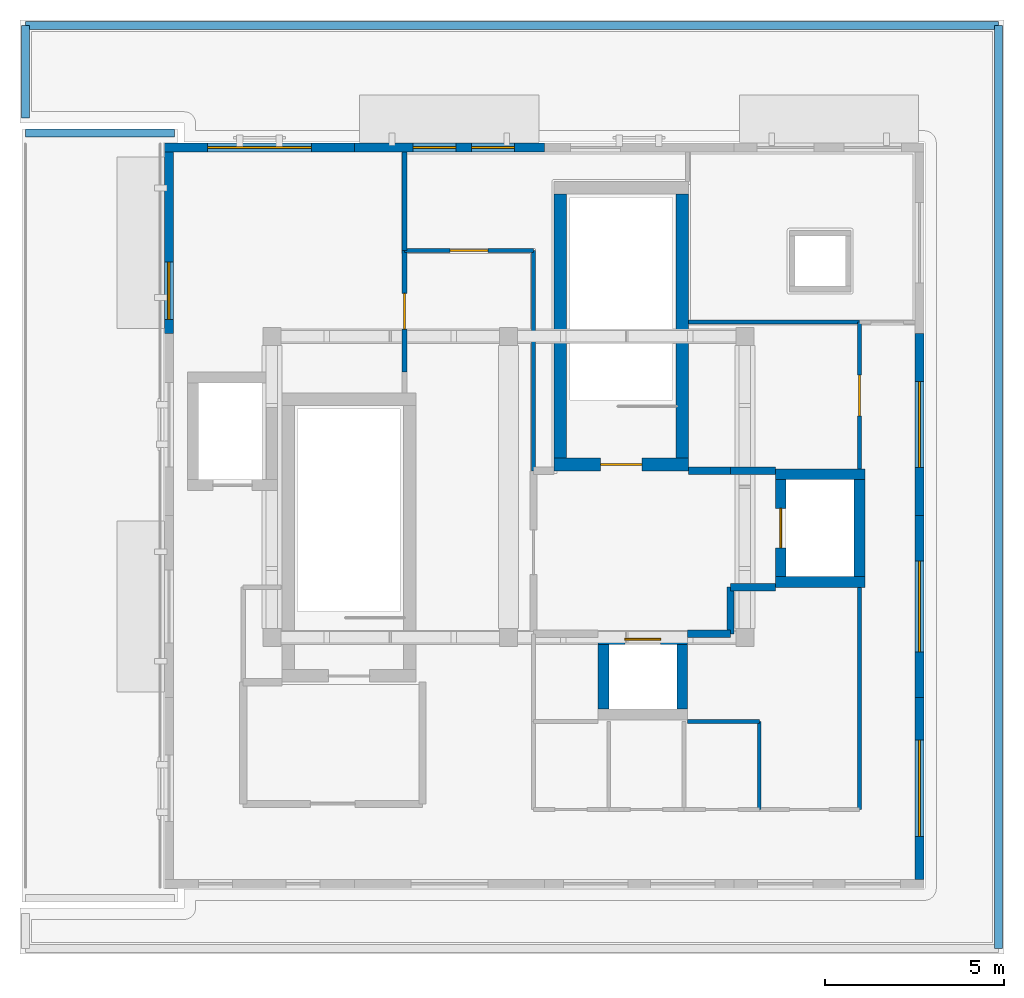
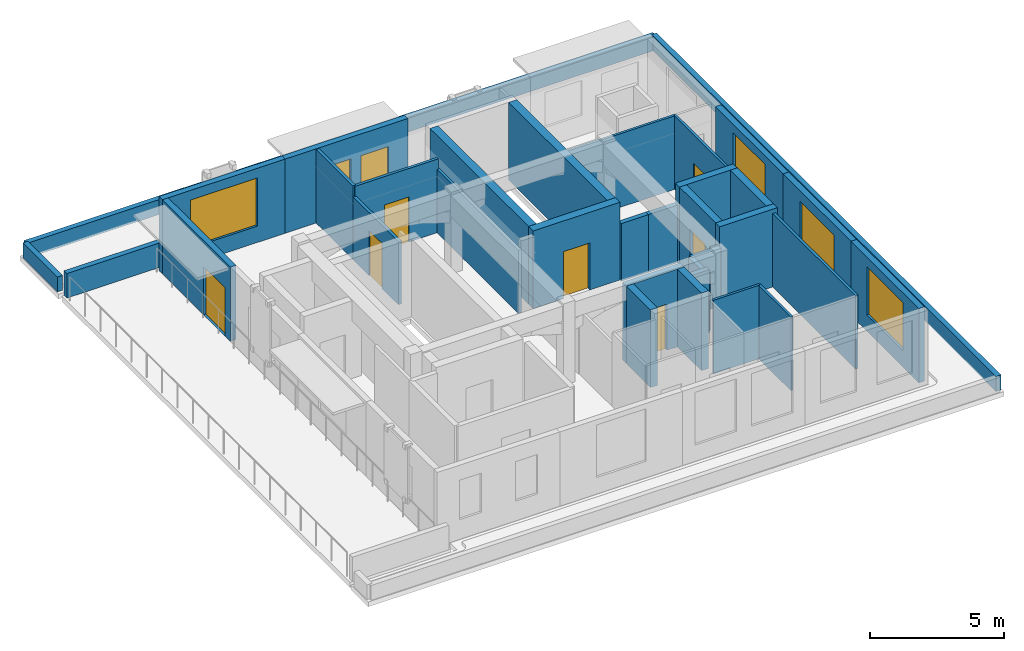
# One storey, part 3 of 5: 34 walls, 7 doors, 6 windows, 13 openings.
"""IFC4 building model written with IfcOpenShell, lengths in metres."""

from ifc_helpers import new_model, si_unit, direction, frame, frame_2d, origin, place, context, subcontext, project, spatial, rectangle, extrude, material, layer, layer_set, type_object, element, fill, save


model = new_model("IFC4")

# Units and contexts
model_context = context("Model", 3, precision=1e-05, world=origin(), true_north=direction((0.0, 1.0)))
body_context = subcontext(model_context, "Body", "Model", "MODEL_VIEW")
ifc_project = project(units=[si_unit("LENGTHUNIT", "METRE"), si_unit("AREAUNIT", "SQUARE_METRE"), si_unit("VOLUMEUNIT", "CUBIC_METRE"), si_unit("PLANEANGLEUNIT", "RADIAN"), si_unit("MASSUNIT", "GRAM", prefix="KILO")], contexts=[model_context])

# Site, building, storey
site_placement = place(None, origin())
site = spatial("IfcSite", under=ifc_project, at=site_placement, CompositionType="ELEMENT")
building_placement = place(site_placement, origin())
building = spatial("IfcBuilding", under=site, at=building_placement, Name="Kolvaren Faculty of Natural Sciences", CompositionType="ELEMENT")
storey_placement = place(building_placement, frame((0.0, 0.0, 44.39990234375)))
storey = spatial("IfcBuildingStorey", under=building, at=storey_placement, Name="L10", CompositionType="ELEMENT", Elevation=44.39990234375)

# Wall, opening, door
ifc_material_1 = material(Name="Concrete C40/50", Category="concrete")
ifc_layer_1 = layer(ifc_material_1, 0.35009765625)
ifc_layer_set_1 = layer_set([ifc_layer_1], Name="Concrete C40/50")
wall_type_1 = type_object("IfcWallType", Name="CoreShearWall_350", PredefinedType="SHEAR", material=ifc_layer_set_1)
wall_1_placement = place(storey_placement, frame((159.875, 72.22509765625, 0.0), z_axis=(0.0, 0.0, 1.0), x_axis=(1.0, 0.0, 0.0)))
wall_1 = element("IfcWall", 1, at=wall_1_placement, inside=storey, type_object=wall_type_1, Name="L10 CORE-C1 stair shear wall S", PredefinedType="SHEAR", context=body_context, shape_type="SweptSolid", body=[
    extrude(rectangle(XDim=3.75, YDim=0.35009765625, at=frame_2d((1.875, 0.0))), origin(), (0.0, 0.0, 1.0), 3.550048828125),
])
opening_1_placement = place(wall_1_placement, frame((1.300048828125, 0.0, 0.0)))
opening_1 = element("IfcOpeningElement", 2, at=opening_1_placement, cuts=wall_1, Name="Opening FD90", PredefinedType="OPENING", context=body_context, shape_type="SweptSolid", body=[
    extrude(rectangle(XDim=1.14990234375, YDim=2.14990234375, at=frame_2d((0.574951171875, 1.074951171875))), frame((0.0, 0.18505859375, 0.0), z_axis=(0.0, -1.0, 0.0), x_axis=(1.0, 0.0, 0.0)), (0.0, 0.0, 1.0), 0.3701171875),
])
ifc_material_2 = material(Name="Fire-rated solid-core hardwood door leaf in steel frame", Category="steel")
door_type_1 = type_object("IfcDoorType", Name="StairCoreFireDoor_1150x2150", OperationType="NOTDEFINED", PredefinedType="DOOR", material=ifc_material_2)
door_1_placement = place(opening_1_placement, origin())
door_1 = element("IfcDoor", 3, at=door_1_placement, inside=storey, type_object=door_type_1, Name="D-ST-ST-1-L10", OperationType="SINGLE_SWING_RIGHT", OverallHeight=2.14990234375, OverallWidth=1.14990234375, PredefinedType="DOOR", context=body_context, shape_type="SweptSolid", body=[
    extrude(rectangle(XDim=1.14990234375, YDim=2.14990234375, at=frame_2d((0.574951171875, 1.074951171875))), frame((0.0, 0.02490234375, 0.0), z_axis=(0.0, -1.0, 0.0), x_axis=(1.0, 0.0, 0.0)), (0.0, 0.0, 1.0), 0.050048828125),
])
fill(opening_1, door_1)

# Walls
for number, where, z_axis, x_axis, name in (
    (4, (160.050048828125, 72.39990234375, 0.0), (0.0, 0.0, 1.0), (0.0, 1.0, 0.0), "L10 CORE-C1 stair shear wall W"),
    (5, (163.449951171875, 72.39990234375, 0.0), (0.0, 0.0, 1.0), (0.0, 1.0, 0.0), "L10 CORE-C1 stair shear wall E"),
):
    element("IfcWall", number, at=place(storey_placement, frame(where, z_axis=z_axis, x_axis=x_axis)), inside=storey, type_object=wall_type_1, Name=name, PredefinedType="SHEAR", context=body_context, shape_type="SweptSolid", body=[
        extrude(rectangle(XDim=7.375, YDim=0.35009765625, at=frame_2d((3.6875, 0.0))), origin(), (0.0, 0.0, 1.0), 3.550048828125),
    ])

# Wall, opening, window
ifc_material_3 = material(Name="Precast concrete C35/45", Category="concrete")
ifc_layer_2 = layer(ifc_material_3, 0.25)
ifc_layer_set_2 = layer_set([ifc_layer_2], Name="Precast concrete C35/45")
wall_type_2 = type_object("IfcWallType", Name="ExteriorTowerWall_250", PredefinedType="STANDARD", material=ifc_layer_set_2)
wall_2_placement = place(storey_placement, frame((170.074951171875, 75.875, 0.0), z_axis=(0.0, 0.0, 1.0), x_axis=(0.0, -1.0, 0.0)))
wall_2 = element("IfcWall", 6, at=wall_2_placement, inside=storey, type_object=wall_type_2, Name="L10 exterior masonry wall EW-250 (755)", PredefinedType="STANDARD", context=body_context, shape_type="SweptSolid", body=[
    extrude(rectangle(XDim=5.074951171875, YDim=0.25, at=frame_2d((2.53759765625, 0.0))), origin(), (0.0, 0.0, 1.0), 3.39013671875),
])
opening_2_placement = place(wall_2_placement, frame((1.33740234375, 0.0, 0.89990234375)))
opening_2 = element("IfcOpeningElement", 7, at=opening_2_placement, cuts=wall_2, Name="Opening WIN-09", PredefinedType="OPENING", context=body_context, shape_type="SweptSolid", body=[
    extrude(rectangle(XDim=2.39990234375, YDim=2.10009765625, at=frame_2d((1.199951171875, 1.050048828125))), frame((0.0, 0.135009765625, 0.0), z_axis=(0.0, -1.0, 0.0), x_axis=(1.0, 0.0, 0.0)), (0.0, 0.0, 1.0), 0.27001953125),
])
ifc_material_4 = material(Name="Double low-E solar control insulated glazing", Category="glass")
window_type_1 = type_object("IfcWindowType", Name="AluWindow_WIN09_2400x2100", PartitioningType="SINGLE_PANEL", PredefinedType="WINDOW", material=ifc_material_4)
window_1_placement = place(opening_2_placement, origin())
window_1 = element("IfcWindow", 8, at=window_1_placement, inside=storey, type_object=window_type_1, Name="WIN-L10-0628", OverallHeight=2.10009765625, OverallWidth=2.39990234375, PartitioningType="SINGLE_PANEL", PredefinedType="WINDOW", context=body_context, shape_type="SweptSolid", body=[
    extrude(rectangle(XDim=2.39990234375, YDim=2.10009765625, at=frame_2d((1.199951171875, 1.050048828125))), frame((0.0, 0.030029296875, 0.0), z_axis=(0.0, -1.0, 0.0), x_axis=(1.0, 0.0, 0.0)), (0.0, 0.0, 1.0), 0.06005859375),
])
fill(opening_2, window_1)

wall_3_placement = place(storey_placement, frame((170.074951171875, 70.800048828125, 0.0), z_axis=(0.0, 0.0, 1.0), x_axis=(0.0, -1.0, 0.0)))
wall_3 = element("IfcWall", 9, at=wall_3_placement, inside=storey, type_object=wall_type_2, Name="L10 exterior masonry wall EW-250 (756)", PredefinedType="STANDARD", context=body_context, shape_type="SweptSolid", body=[
    extrude(rectangle(XDim=5.074951171875, YDim=0.25, at=frame_2d((2.53759765625, 0.0))), origin(), (0.0, 0.0, 1.0), 3.39013671875),
])
opening_3_placement = place(wall_3_placement, frame((1.262451171875, 0.0, 0.75)))
opening_3 = element("IfcOpeningElement", 10, at=opening_3_placement, cuts=wall_3, Name="Opening WIN-10", PredefinedType="OPENING", context=body_context, shape_type="SweptSolid", body=[
    extrude(rectangle(XDim=2.550048828125, YDim=2.14990234375, at=frame_2d((1.27490234375, 1.074951171875))), frame((0.0, 0.135009765625, 0.0), z_axis=(0.0, -1.0, 0.0), x_axis=(1.0, 0.0, 0.0)), (0.0, 0.0, 1.0), 0.27001953125),
])
window_type_2 = type_object("IfcWindowType", Name="AluWindow_WIN10_2550x2150", PartitioningType="SINGLE_PANEL", PredefinedType="WINDOW", material=ifc_material_4)
window_2_placement = place(opening_3_placement, origin())
window_2 = element("IfcWindow", 11, at=window_2_placement, inside=storey, type_object=window_type_2, Name="WIN-L10-0629", OverallHeight=2.14990234375, OverallWidth=2.550048828125, PartitioningType="SINGLE_PANEL", PredefinedType="WINDOW", context=body_context, shape_type="SweptSolid", body=[
    extrude(rectangle(XDim=2.550048828125, YDim=2.14990234375, at=frame_2d((1.27490234375, 1.074951171875))), frame((0.0, 0.030029296875, 0.0), z_axis=(0.0, -1.0, 0.0), x_axis=(1.0, 0.0, 0.0)), (0.0, 0.0, 1.0), 0.06005859375),
])
fill(opening_3, window_2)

wall_4_placement = place(storey_placement, frame((170.074951171875, 65.72509765625, 0.0), z_axis=(0.0, 0.0, 1.0), x_axis=(0.0, -1.0, 0.0)))
wall_4 = element("IfcWall", 12, at=wall_4_placement, inside=storey, type_object=wall_type_2, Name="L10 exterior masonry wall EW-250 (757)", PredefinedType="STANDARD", context=body_context, shape_type="SweptSolid", body=[
    extrude(rectangle(XDim=5.0751953125, YDim=0.25, at=frame_2d((2.53759765625, 0.0))), origin(), (0.0, 0.0, 1.0), 3.39013671875),
])
opening_4_placement = place(wall_4_placement, frame((1.1875, 0.0, 0.75)))
opening_4 = element("IfcOpeningElement", 13, at=opening_4_placement, cuts=wall_4, Name="Opening WIN-11", PredefinedType="OPENING", context=body_context, shape_type="SweptSolid", body=[
    extrude(rectangle(XDim=2.699951171875, YDim=2.199951171875, at=frame_2d((1.35009765625, 1.10009765625))), frame((0.0, 0.135009765625, 0.0), z_axis=(0.0, -1.0, 0.0), x_axis=(1.0, 0.0, 0.0)), (0.0, 0.0, 1.0), 0.27001953125),
])
window_type_3 = type_object("IfcWindowType", Name="AluWindow_WIN11_2700x2200", PartitioningType="SINGLE_PANEL", PredefinedType="WINDOW", material=ifc_material_4)
window_3_placement = place(opening_4_placement, origin())
window_3 = element("IfcWindow", 14, at=window_3_placement, inside=storey, type_object=window_type_3, Name="WIN-L10-0630", OverallHeight=2.199951171875, OverallWidth=2.699951171875, PartitioningType="SINGLE_PANEL", PredefinedType="WINDOW", context=body_context, shape_type="SweptSolid", body=[
    extrude(rectangle(XDim=2.699951171875, YDim=2.199951171875, at=frame_2d((1.35009765625, 1.10009765625))), frame((0.0, 0.030029296875, 0.0), z_axis=(0.0, -1.0, 0.0), x_axis=(1.0, 0.0, 0.0)), (0.0, 0.0, 1.0), 0.06005859375),
])
fill(opening_4, window_3)

wall_5_placement = place(storey_placement, frame((149.0, 81.074951171875, 0.0), z_axis=(0.0, 0.0, 1.0), x_axis=(1.0, 0.0, 0.0)))
wall_5 = element("IfcWall", 15, at=wall_5_placement, inside=storey, type_object=wall_type_2, Name="L10 exterior masonry wall EW-250 (758)", PredefinedType="STANDARD", context=body_context, shape_type="SweptSolid", body=[
    extrude(rectangle(XDim=5.300048828125, YDim=0.25, at=frame_2d((2.64990234375, 0.0))), origin(), (0.0, 0.0, 1.0), 3.39013671875),
])
opening_5_placement = place(wall_5_placement, frame((1.199951171875, 0.0, 0.75)))
opening_5 = element("IfcOpeningElement", 16, at=opening_5_placement, cuts=wall_5, Name="Opening WIN-12", PredefinedType="OPENING", context=body_context, shape_type="SweptSolid", body=[
    extrude(rectangle(XDim=2.89990234375, YDim=2.199951171875, at=frame_2d((1.449951171875, 1.10009765625))), frame((0.0, 0.135009765625, 0.0), z_axis=(0.0, -1.0, 0.0), x_axis=(1.0, 0.0, 0.0)), (0.0, 0.0, 1.0), 0.27001953125),
])
window_type_4 = type_object("IfcWindowType", Name="AluWindow_WIN12_2900x2200", PartitioningType="SINGLE_PANEL", PredefinedType="WINDOW", material=ifc_material_4)
window_4_placement = place(opening_5_placement, origin())
window_4 = element("IfcWindow", 17, at=window_4_placement, inside=storey, type_object=window_type_4, Name="WIN-L10-0631", OverallHeight=2.199951171875, OverallWidth=2.89990234375, PartitioningType="SINGLE_PANEL", PredefinedType="WINDOW", context=body_context, shape_type="SweptSolid", body=[
    extrude(rectangle(XDim=2.89990234375, YDim=2.199951171875, at=frame_2d((1.449951171875, 1.10009765625))), frame((0.0, 0.030029296875, 0.0), z_axis=(0.0, -1.0, 0.0), x_axis=(1.0, 0.0, 0.0)), (0.0, 0.0, 1.0), 0.06005859375),
])
fill(opening_5, window_4)

# Wall, openings, windows
wall_6_placement = place(storey_placement, frame((154.300048828125, 81.074951171875, 0.0), z_axis=(0.0, 0.0, 1.0), x_axis=(1.0, 0.0, 0.0)))
wall_6 = element("IfcWall", 18, at=wall_6_placement, inside=storey, type_object=wall_type_2, Name="L10 exterior masonry wall EW-250 (759)", PredefinedType="STANDARD", context=body_context, shape_type="SweptSolid", body=[
    extrude(rectangle(XDim=5.300048828125, YDim=0.25, at=frame_2d((2.64990234375, 0.0))), origin(), (0.0, 0.0, 1.0), 3.39013671875),
])
opening_6_placement = place(wall_6_placement, frame((1.639892578125, 0.0, 0.89990234375)))
opening_6 = element("IfcOpeningElement", 19, at=opening_6_placement, cuts=wall_6, Name="Opening WIN-13", PredefinedType="OPENING", context=body_context, shape_type="SweptSolid", body=[
    extrude(rectangle(XDim=1.199951171875, YDim=1.5, at=frame_2d((0.60009765625, 0.75))), frame((0.0, 0.135009765625, 0.0), z_axis=(0.0, -1.0, 0.0), x_axis=(1.0, 0.0, 0.0)), (0.0, 0.0, 1.0), 0.27001953125),
])
opening_7_placement = place(wall_6_placement, frame((3.26904296875, 0.0, 0.89990234375)))
opening_7 = element("IfcOpeningElement", 20, at=opening_7_placement, cuts=wall_6, Name="Opening WIN-13", PredefinedType="OPENING", context=body_context, shape_type="SweptSolid", body=[
    extrude(rectangle(XDim=1.199951171875, YDim=1.5, at=frame_2d((0.60009765625, 0.75))), frame((0.0, 0.135009765625, 0.0), z_axis=(0.0, -1.0, 0.0), x_axis=(1.0, 0.0, 0.0)), (0.0, 0.0, 1.0), 0.27001953125),
])
window_type_5 = type_object("IfcWindowType", Name="AluWindow_WIN13_1200x1500", PartitioningType="SINGLE_PANEL", PredefinedType="WINDOW", material=ifc_material_4)
window_5_placement = place(opening_6_placement, origin())
window_5 = element("IfcWindow", 21, at=window_5_placement, inside=storey, type_object=window_type_5, Name="WIN-L10-0632", OverallHeight=1.5, OverallWidth=1.199951171875, PartitioningType="SINGLE_PANEL", PredefinedType="WINDOW", context=body_context, shape_type="SweptSolid", body=[
    extrude(rectangle(XDim=1.199951171875, YDim=1.5, at=frame_2d((0.60009765625, 0.75))), frame((0.0, 0.030029296875, 0.0), z_axis=(0.0, -1.0, 0.0), x_axis=(1.0, 0.0, 0.0)), (0.0, 0.0, 1.0), 0.06005859375),
])
fill(opening_6, window_5)
window_6_placement = place(opening_7_placement, origin())
window_6 = element("IfcWindow", 22, at=window_6_placement, inside=storey, type_object=window_type_5, Name="WIN-L10-0633", OverallHeight=1.5, OverallWidth=1.199951171875, PartitioningType="SINGLE_PANEL", PredefinedType="WINDOW", context=body_context, shape_type="SweptSolid", body=[
    extrude(rectangle(XDim=1.199951171875, YDim=1.5, at=frame_2d((0.60009765625, 0.75))), frame((0.0, 0.030029296875, 0.0), z_axis=(0.0, -1.0, 0.0), x_axis=(1.0, 0.0, 0.0)), (0.0, 0.0, 1.0), 0.06005859375),
])
fill(opening_7, window_6)

# Wall, opening, door
wall_7_placement = place(storey_placement, frame((149.125, 75.875, 0.0), z_axis=(0.0, 0.0, 1.0), x_axis=(0.0, 1.0, 0.0)))
wall_7 = element("IfcWall", 23, at=wall_7_placement, inside=storey, type_object=wall_type_2, Name="L10 exterior masonry wall EW-250 (765)", PredefinedType="STANDARD", context=body_context, shape_type="SweptSolid", body=[
    extrude(rectangle(XDim=5.074951171875, YDim=0.25, at=frame_2d((2.53759765625, 0.0))), origin(), (0.0, 0.0, 1.0), 3.39013671875),
])
opening_8_placement = place(wall_7_placement, frame((0.39990234375, 0.0, 0.0)))
opening_8 = element("IfcOpeningElement", 24, at=opening_8_placement, cuts=wall_7, Name="Opening TD-02", PredefinedType="OPENING", context=body_context, shape_type="SweptSolid", body=[
    extrude(rectangle(XDim=1.60009765625, YDim=2.199951171875, at=frame_2d((0.800048828125, 1.10009765625))), frame((0.0, 0.135009765625, 0.0), z_axis=(0.0, -1.0, 0.0), x_axis=(1.0, 0.0, 0.0)), (0.0, 0.0, 1.0), 0.27001953125),
])
ifc_material_5 = material(Name="Thermally broken anodised aluminium framing", Category="aluminium")
door_type_2 = type_object("IfcDoorType", Name="TerraceDoubleDoor_1600x2200", OperationType="DOUBLE_DOOR_SINGLE_SWING", PredefinedType="DOOR", material=ifc_material_5)
door_2_placement = place(opening_8_placement, origin())
door_2 = element("IfcDoor", 25, at=door_2_placement, inside=storey, type_object=door_type_2, Name="D-L10-TR-29", OperationType="DOUBLE_DOOR_SINGLE_SWING", OverallHeight=2.199951171875, OverallWidth=1.60009765625, PredefinedType="DOOR", context=body_context, shape_type="SweptSolid", body=[
    extrude(rectangle(XDim=1.60009765625, YDim=2.199951171875, at=frame_2d((0.800048828125, 1.10009765625))), frame((0.0, 0.02490234375, 0.0), z_axis=(0.0, -1.0, 0.0), x_axis=(1.0, 0.0, 0.0)), (0.0, 0.0, 1.0), 0.050048828125),
])
fill(opening_8, door_2)

# Walls
ifc_material_6 = material(Name="Autoclaved aerated fire-rated masonry blockwork", Category="masonry")
ifc_layer_3 = layer(ifc_material_6, 0.199951171875)
ifc_layer_set_3 = layer_set([ifc_layer_3], Name="Autoclaved aerated fire-rated masonry blockwork")
wall_type_3 = type_object("IfcWallType", Name="FireLobbyWall_200", PredefinedType="PARTITIONING", material=ifc_layer_set_3)
wall_8_placement = place(storey_placement, frame((163.625, 72.050048828125, 0.0), z_axis=(0.0, 0.0, 1.0), x_axis=(1.0, 0.0, 0.0)))
element("IfcWall", 26, at=wall_8_placement, inside=storey, type_object=wall_type_3, Name="L10 interior partition FW-200", PredefinedType="PARTITIONING", context=body_context, shape_type="SweptSolid", body=[
    extrude(rectangle(XDim=1.175048828125, YDim=0.199951171875, at=frame_2d((0.58740234375, 0.0))), origin(), (0.0, 0.0, 1.0), 2.635009765625),
])
for number, where, z_axis, x_axis, name in (
    (27, (164.800048828125, 72.050048828125, 0.0), (0.0, 0.0, 1.0), (1.0, 0.0, 0.0), "L10 interior partition FW-200"),
    (28, (166.050048828125, 68.800048828125, 0.0), (0.0, 0.0, 1.0), (-1.0, 0.0, 0.0), "L10 interior partition FW-200"),
):
    element("IfcWall", number, at=place(storey_placement, frame(where, z_axis=z_axis, x_axis=x_axis)), inside=storey, type_object=wall_type_3, Name=name, PredefinedType="PARTITIONING", context=body_context, shape_type="SweptSolid", body=[
        extrude(rectangle(XDim=1.25, YDim=0.199951171875, at=frame_2d((0.625, 0.0))), origin(), (0.0, 0.0, 1.0), 2.635009765625),
    ])
wall_9_placement = place(storey_placement, frame((164.800048828125, 68.800048828125, 0.0), z_axis=(0.0, 0.0, 1.0), x_axis=(0.0, -1.0, 0.0)))
element("IfcWall", 29, at=wall_9_placement, inside=storey, type_object=wall_type_3, Name="L10 interior partition FW-200", PredefinedType="PARTITIONING", context=body_context, shape_type="SweptSolid", body=[
    extrude(rectangle(XDim=1.300048828125, YDim=0.199951171875, at=frame_2d((0.64990234375, 0.0))), origin(), (0.0, 0.0, 1.0), 2.635009765625),
])
wall_10_placement = place(storey_placement, frame((164.800048828125, 67.5, 0.0), z_axis=(0.0, 0.0, 1.0), x_axis=(-1.0, 0.0, 0.0)))
element("IfcWall", 30, at=wall_10_placement, inside=storey, type_object=wall_type_3, Name="L10 interior partition FW-200", PredefinedType="PARTITIONING", context=body_context, shape_type="SweptSolid", body=[
    extrude(rectangle(XDim=1.199951171875, YDim=0.199951171875, at=frame_2d((0.60009765625, 0.0))), origin(), (0.0, 0.0, 1.0), 2.885009765625),
])
ifc_material_7 = material(Name="Acoustic mineral-wool insulated gypsum partition")
ifc_layer_4 = layer(ifc_material_7, 0.1298828125)
ifc_layer_set_4 = layer_set([ifc_layer_4], Name="Acoustic mineral-wool insulated gypsum partition")
wall_type_4 = type_object("IfcWallType", Name="OfficePartitionWall_130", PredefinedType="PARTITIONING", material=ifc_layer_set_4)
wall_11_placement = place(storey_placement, frame((155.699951171875, 80.947998046875, 0.0), z_axis=(0.0, 0.0, 1.0), x_axis=(0.0, -1.0, 0.0)))
element("IfcWall", 31, at=wall_11_placement, inside=storey, type_object=wall_type_4, Name="L10 interior partition PW-130", PredefinedType="PARTITIONING", context=body_context, shape_type="SweptSolid", body=[
    extrude(rectangle(XDim=2.748046875, YDim=0.1298828125, at=frame_2d((1.3740234375, 0.0))), origin(), (0.0, 0.0, 1.0), 3.360107421875),
])

# Wall, opening, door
wall_12_placement = place(storey_placement, frame((155.699951171875, 78.199951171875, 0.0), z_axis=(0.0, 0.0, 1.0), x_axis=(0.0, -1.0, 0.0)))
wall_12 = element("IfcWall", 32, at=wall_12_placement, inside=storey, type_object=wall_type_4, Name="L10 interior partition PW-130", PredefinedType="PARTITIONING", context=body_context, shape_type="SweptSolid", body=[
    extrude(rectangle(XDim=3.39990234375, YDim=0.1298828125, at=frame_2d((1.699951171875, 0.0))), origin(), (0.0, 0.0, 1.0), 2.885009765625),
])
opening_9_placement = place(wall_12_placement, frame((1.199951171875, 0.0, 0.0)))
opening_9 = element("IfcOpeningElement", 33, at=opening_9_placement, cuts=wall_12, Name="Opening ID-08", PredefinedType="OPENING", context=body_context, shape_type="SweptSolid", body=[
    extrude(rectangle(XDim=1.0, YDim=2.06005859375, at=frame_2d((0.5, 1.030029296875))), frame((0.0, 0.074951171875, 0.0), z_axis=(0.0, -1.0, 0.0), x_axis=(1.0, 0.0, 0.0)), (0.0, 0.0, 1.0), 0.14990234375),
])
ifc_material_8 = material(Name="Solid-core hardwood veneer door leaf in steel frame", Category="steel")
door_type_3 = type_object("IfcDoorType", Name="InteriorRoomDoor_1000x2060", OperationType="NOTDEFINED", PredefinedType="DOOR", material=ifc_material_8)
door_3_placement = place(opening_9_placement, origin())
door_3 = element("IfcDoor", 34, at=door_3_placement, inside=storey, type_object=door_type_3, Name="D-L10-0400", OperationType="SINGLE_SWING_LEFT", OverallHeight=2.06005859375, OverallWidth=1.0, PredefinedType="DOOR", context=body_context, shape_type="SweptSolid", body=[
    extrude(rectangle(XDim=1.0, YDim=2.06005859375, at=frame_2d((0.5, 1.030029296875))), frame((0.0, 0.02490234375, 0.0), z_axis=(0.0, -1.0, 0.0), x_axis=(1.0, 0.0, 0.0)), (0.0, 0.0, 1.0), 0.050048828125),
])
fill(opening_9, door_3)

# Walls
ifc_layer_5 = layer(ifc_material_3, 0.219970703125)
ifc_layer_set_5 = layer_set([ifc_layer_5], Name="Precast concrete C35/45")
wall_type_5 = type_object("IfcWallType", Name="ParapetUpstandWall_220", PredefinedType="PARAPET", material=ifc_layer_set_5)
wall_13_placement = place(storey_placement, frame((145.1201171875, 81.47998046875, 0.0), z_axis=(0.0, 0.0, 1.0), x_axis=(1.0, 0.0, 0.0)))
element("IfcWall", 35, at=wall_13_placement, inside=storey, type_object=wall_type_5, Name="L10 terrace-to-roof guard parapet divider 7", PredefinedType="PARAPET", context=body_context, shape_type="SweptSolid", body=[
    extrude(rectangle(XDim=4.159912109375, YDim=0.219970703125, at=frame_2d((2.080078125, 0.0))), origin(), (0.0, 0.0, 1.0), 1.1201171875),
])
wall_14_placement = place(storey_placement, frame((172.280029296875, 84.47998046875, 0.0), z_axis=(0.0, 0.0, 1.0), x_axis=(0.0, -1.0, 0.0)))
element("IfcWall", 36, at=wall_14_placement, inside=storey, type_object=wall_type_5, Name="L10 architectural sandstone roof parapet 76", PredefinedType="PARAPET", context=body_context, shape_type="SweptSolid", body=[
    extrude(rectangle(XDim=25.760009765625, YDim=0.219970703125, at=frame_2d((12.8798828125, 0.0))), origin(), (0.0, 0.0, 1.0), 0.68017578125),
])
wall_15_placement = place(storey_placement, frame((145.1201171875, 81.89990234375, 0.0), z_axis=(0.0, 0.0, 1.0), x_axis=(0.0, 1.0, 0.0)))
element("IfcWall", 37, at=wall_15_placement, inside=storey, type_object=wall_type_5, Name="L10 architectural sandstone roof parapet 79", PredefinedType="PARAPET", context=body_context, shape_type="SweptSolid", body=[
    extrude(rectangle(XDim=2.580078125, YDim=0.219970703125, at=frame_2d((1.2900390625, 0.0))), origin(), (0.0, 0.0, 1.0), 0.68017578125),
])
wall_16_placement = place(storey_placement, frame((145.1201171875, 84.47998046875, 0.0), z_axis=(0.0, 0.0, 1.0), x_axis=(1.0, 0.0, 0.0)))
element("IfcWall", 38, at=wall_16_placement, inside=storey, type_object=wall_type_5, Name="L10 architectural sandstone roof parapet 80", PredefinedType="PARAPET", context=body_context, shape_type="SweptSolid", body=[
    extrude(rectangle(XDim=27.159912109375, YDim=0.219970703125, at=frame_2d((13.580078125, 0.0))), origin(), (0.0, 0.0, 1.0), 0.68017578125),
])
ifc_layer_6 = layer(ifc_material_1, 0.300048828125)
ifc_layer_set_6 = layer_set([ifc_layer_6], Name="Concrete C40/50")
wall_type_6 = type_object("IfcWallType", Name="ShaftShearWall_300", PredefinedType="SHEAR", material=ifc_layer_set_6)
for number, where, z_axis, x_axis, name in (
    (39, (166.050048828125, 68.949951171875, 0.0), (0.0, 0.0, 1.0), (1.0, 0.0, 0.0), "L10 lift FL-1 shaft wall S"),
    (40, (166.050048828125, 71.949951171875, 0.0), (0.0, 0.0, 1.0), (1.0, 0.0, 0.0), "L10 lift FL-1 shaft wall N"),
):
    element("IfcWall", number, at=place(storey_placement, frame(where, z_axis=z_axis, x_axis=x_axis)), inside=storey, type_object=wall_type_6, Name=name, PredefinedType="SHEAR", context=body_context, shape_type="SweptSolid", body=[
        extrude(rectangle(XDim=2.5, YDim=0.300048828125, at=frame_2d((1.25, 0.0))), origin(), (0.0, 0.0, 1.0), 3.550048828125),
    ])

# Wall, opening, door
wall_17_placement = place(storey_placement, frame((166.199951171875, 69.10009765625, 0.0), z_axis=(0.0, 0.0, 1.0), x_axis=(0.0, 1.0, 0.0)))
wall_17 = element("IfcWall", 41, at=wall_17_placement, inside=storey, type_object=wall_type_6, Name="L10 lift FL-1 shaft wall W", PredefinedType="SHEAR", context=body_context, shape_type="SweptSolid", body=[
    extrude(rectangle(XDim=2.699951171875, YDim=0.300048828125, at=frame_2d((1.35009765625, 0.0))), origin(), (0.0, 0.0, 1.0), 3.550048828125),
])
opening_10_placement = place(wall_17_placement, frame((0.800048828125, 0.0, 0.0)))
opening_10 = element("IfcOpeningElement", 42, at=opening_10_placement, cuts=wall_17, Name="Opening LD-01", PredefinedType="OPENING", context=body_context, shape_type="SweptSolid", body=[
    extrude(rectangle(XDim=1.10009765625, YDim=2.10009765625, at=frame_2d((0.550048828125, 1.050048828125))), frame((0.0, 0.159912109375, 0.0), z_axis=(0.0, -1.0, 0.0), x_axis=(1.0, 0.0, 0.0)), (0.0, 0.0, 1.0), 0.320068359375),
])
ifc_material_9 = material(Name="Brushed stainless steel lift car and sliding door assembly", Category="steel")
door_type_4 = type_object("IfcDoorType", Name="LiftLandingSliding_1100x2100", OperationType="DOUBLE_DOOR_SLIDING", PredefinedType="DOOR", material=ifc_material_9)
door_4_placement = place(opening_10_placement, origin())
door_4 = element("IfcDoor", 43, at=door_4_placement, inside=storey, type_object=door_type_4, Name="D-LIFT-FL-1-L10", OperationType="DOUBLE_DOOR_SLIDING", OverallHeight=2.10009765625, OverallWidth=1.10009765625, PredefinedType="DOOR", context=body_context, shape_type="SweptSolid", body=[
    extrude(rectangle(XDim=1.10009765625, YDim=2.10009765625, at=frame_2d((0.550048828125, 1.050048828125))), frame((0.0, 0.02490234375, 0.0), z_axis=(0.0, -1.0, 0.0), x_axis=(1.0, 0.0, 0.0)), (0.0, 0.0, 1.0), 0.050048828125),
])
fill(opening_10, door_4)

# Wall
wall_18_placement = place(storey_placement, frame((168.39990234375, 69.10009765625, 0.0), z_axis=(0.0, 0.0, 1.0), x_axis=(0.0, 1.0, 0.0)))
element("IfcWall", 44, at=wall_18_placement, inside=storey, type_object=wall_type_6, Name="L10 lift FL-1 shaft wall E", PredefinedType="SHEAR", context=body_context, shape_type="SweptSolid", body=[
    extrude(rectangle(XDim=2.699951171875, YDim=0.300048828125, at=frame_2d((1.35009765625, 0.0))), origin(), (0.0, 0.0, 1.0), 3.550048828125),
])

# Wall, opening, door
wall_19_placement = place(storey_placement, frame((161.10009765625, 67.35009765625, 0.0), z_axis=(0.0, 0.0, 1.0), x_axis=(1.0, 0.0, 0.0)))
wall_19 = element("IfcWall", 45, at=wall_19_placement, inside=storey, type_object=wall_type_6, Name="L10 lift PL-1 shaft wall N", PredefinedType="SHEAR", context=body_context, shape_type="SweptSolid", body=[
    extrude(rectangle(XDim=2.5, YDim=0.300048828125, at=frame_2d((1.25, 0.0))), origin(), (0.0, 0.0, 1.0), 3.550048828125),
])
opening_11_placement = place(wall_19_placement, frame((0.75, 0.0, 0.0)))
opening_11 = element("IfcOpeningElement", 46, at=opening_11_placement, cuts=wall_19, Name="Opening LD-02", PredefinedType="OPENING", context=body_context, shape_type="SweptSolid", body=[
    extrude(rectangle(XDim=1.0, YDim=2.10009765625, at=frame_2d((0.5, 1.050048828125))), frame((0.0, 0.159912109375, 0.0), z_axis=(0.0, -1.0, 0.0), x_axis=(1.0, 0.0, 0.0)), (0.0, 0.0, 1.0), 0.320068359375),
])
door_type_5 = type_object("IfcDoorType", Name="LiftLandingSliding_1000x2100", OperationType="SLIDING_TO_LEFT", PredefinedType="DOOR", material=ifc_material_9)
door_5_placement = place(opening_11_placement, origin())
door_5 = element("IfcDoor", 47, at=door_5_placement, inside=storey, type_object=door_type_5, Name="D-LIFT-PL-1-L10", OperationType="SLIDING_TO_LEFT", OverallHeight=2.10009765625, OverallWidth=1.0, PredefinedType="DOOR", context=body_context, shape_type="SweptSolid", body=[
    extrude(rectangle(XDim=1.0, YDim=2.10009765625, at=frame_2d((0.5, 1.050048828125))), frame((0.0, 0.02490234375, 0.0), z_axis=(0.0, -1.0, 0.0), x_axis=(1.0, 0.0, 0.0)), (0.0, 0.0, 1.0), 0.050048828125),
])
fill(opening_11, door_5)

# Walls
for number, where, z_axis, x_axis, name in (
    (48, (161.25, 65.39990234375, 0.0), (0.0, 0.0, 1.0), (0.0, 1.0, 0.0), "L10 lift PL-1 shaft wall W"),
    (49, (163.449951171875, 65.39990234375, 0.0), (0.0, 0.0, 1.0), (0.0, 1.0, 0.0), "L10 lift PL-1 shaft wall E"),
):
    element("IfcWall", number, at=place(storey_placement, frame(where, z_axis=z_axis, x_axis=x_axis)), inside=storey, type_object=wall_type_6, Name=name, PredefinedType="SHEAR", context=body_context, shape_type="SweptSolid", body=[
        extrude(rectangle(XDim=1.800048828125, YDim=0.300048828125, at=frame_2d((0.89990234375, 0.0))), origin(), (0.0, 0.0, 1.0), 3.550048828125),
    ])
ifc_layer_7 = layer(ifc_material_7, 0.114990234375)
ifc_layer_set_7 = layer_set([ifc_layer_7], Name="Acoustic mineral-wool insulated gypsum partition")
wall_type_7 = type_object("IfcWallType", Name="StorePartitionWall_115", PredefinedType="PARTITIONING", material=ifc_layer_set_7)
wall_20_placement = place(storey_placement, frame((168.39990234375, 68.798095703125, 0.0), z_axis=(0.0, 0.0, 1.0), x_axis=(0.0, -1.0, 0.0)))
element("IfcWall", 50, at=wall_20_placement, inside=storey, type_object=wall_type_7, Name="L10 interior partition PW-115", PredefinedType="PARTITIONING", context=body_context, shape_type="SweptSolid", body=[
    extrude(rectangle(XDim=6.197998046875, YDim=0.114990234375, at=frame_2d((3.09912109375, 0.0))), origin(), (0.0, 0.0, 1.0), 3.360107421875),
])
ifc_layer_8 = layer(ifc_material_7, 0.1201171875)
ifc_layer_set_8 = layer_set([ifc_layer_8], Name="Acoustic mineral-wool insulated gypsum partition")
wall_type_8 = type_object("IfcWallType", Name="StudioPartitionWall_120", PredefinedType="PARTITIONING", material=ifc_layer_set_8)
wall_21_placement = place(storey_placement, frame((159.300048828125, 72.050048828125, 0.0), z_axis=(0.0, 0.0, 1.0), x_axis=(0.0, 1.0, 0.0)))
element("IfcWall", 51, at=wall_21_placement, inside=storey, type_object=wall_type_8, Name="L10 interior partition PW-120", PredefinedType="PARTITIONING", context=body_context, shape_type="SweptSolid", body=[
    extrude(rectangle(XDim=6.14990234375, YDim=0.1201171875, at=frame_2d((3.074951171875, 0.0))), origin(), (0.0, 0.0, 1.0), 2.885009765625),
])

# Wall, opening, door
wall_22_placement = place(storey_placement, frame((159.300048828125, 78.199951171875, 0.0), z_axis=(0.0, 0.0, 1.0), x_axis=(-1.0, 0.0, 0.0)))
wall_22 = element("IfcWall", 52, at=wall_22_placement, inside=storey, type_object=wall_type_8, Name="L10 interior partition PW-120", PredefinedType="PARTITIONING", context=body_context, shape_type="SweptSolid", body=[
    extrude(rectangle(XDim=3.60009765625, YDim=0.1201171875, at=frame_2d((1.800048828125, 0.0))), origin(), (0.0, 0.0, 1.0), 3.360107421875),
])
opening_12_placement = place(wall_22_placement, frame((1.27490234375, 0.0, 0.0)))
opening_12 = element("IfcOpeningElement", 53, at=opening_12_placement, cuts=wall_22, Name="Opening ID-09", PredefinedType="OPENING", context=body_context, shape_type="SweptSolid", body=[
    extrude(rectangle(XDim=1.050048828125, YDim=2.06005859375, at=frame_2d((0.52490234375, 1.030029296875))), frame((0.0, 0.070068359375, 0.0), z_axis=(0.0, -1.0, 0.0), x_axis=(1.0, 0.0, 0.0)), (0.0, 0.0, 1.0), 0.14013671875),
])
door_type_6 = type_object("IfcDoorType", Name="InteriorRoomDoor_1050x2060", OperationType="NOTDEFINED", PredefinedType="DOOR", material=ifc_material_8)
door_6_placement = place(opening_12_placement, origin())
door_6 = element("IfcDoor", 54, at=door_6_placement, inside=storey, type_object=door_type_6, Name="D-L10-0401", OperationType="SINGLE_SWING_RIGHT", OverallHeight=2.06005859375, OverallWidth=1.050048828125, PredefinedType="DOOR", context=body_context, shape_type="SweptSolid", body=[
    extrude(rectangle(XDim=1.050048828125, YDim=2.06005859375, at=frame_2d((0.52490234375, 1.030029296875))), frame((0.0, 0.02490234375, 0.0), z_axis=(0.0, -1.0, 0.0), x_axis=(1.0, 0.0, 0.0)), (0.0, 0.0, 1.0), 0.050048828125),
])
fill(opening_12, door_6)

# Walls
ifc_layer_9 = layer(ifc_material_7, 0.10498046875)
ifc_layer_set_9 = layer_set([ifc_layer_9], Name="Acoustic mineral-wool insulated gypsum partition")
wall_type_9 = type_object("IfcWallType", Name="WetRoomPartition_105", PredefinedType="PARTITIONING", material=ifc_layer_set_9)
wall_23_placement = place(storey_placement, frame((163.60009765625, 65.050048828125, 0.0), z_axis=(0.0, 0.0, 1.0), x_axis=(1.0, 0.0, 0.0)))
element("IfcWall", 55, at=wall_23_placement, inside=storey, type_object=wall_type_9, Name="L10 interior partition PW-105", PredefinedType="PARTITIONING", context=body_context, shape_type="SweptSolid", body=[
    extrude(rectangle(XDim=2.0, YDim=0.10498046875, at=frame_2d((1.0, 0.0))), origin(), (0.0, 0.0, 1.0), 3.360107421875),
])
wall_24_placement = place(storey_placement, frame((165.60009765625, 65.050048828125, 0.0), z_axis=(0.0, 0.0, 1.0), x_axis=(0.0, -1.0, 0.0)))
element("IfcWall", 56, at=wall_24_placement, inside=storey, type_object=wall_type_9, Name="L10 interior partition PW-105", PredefinedType="PARTITIONING", context=body_context, shape_type="SweptSolid", body=[
    extrude(rectangle(XDim=2.449951171875, YDim=0.10498046875, at=frame_2d((1.22509765625, 0.0))), origin(), (0.0, 0.0, 1.0), 3.360107421875),
])

# Wall, opening, door
wall_25_placement = place(storey_placement, frame((168.39990234375, 76.199951171875, 0.0), z_axis=(0.0, 0.0, 1.0), x_axis=(0.0, -1.0, 0.0)))
wall_25 = element("IfcWall", 57, at=wall_25_placement, inside=storey, type_object=wall_type_9, Name="L10 interior partition PW-105", PredefinedType="PARTITIONING", context=body_context, shape_type="SweptSolid", body=[
    extrude(rectangle(XDim=4.097900390625, YDim=0.10498046875, at=frame_2d((2.048828125, 0.0))), origin(), (0.0, 0.0, 1.0), 3.360107421875),
])
opening_13_placement = place(wall_25_placement, frame((1.47900390625, 0.0, 0.0)))
opening_13 = element("IfcOpeningElement", 58, at=opening_13_placement, cuts=wall_25, Name="Opening ID-11", PredefinedType="OPENING", context=body_context, shape_type="SweptSolid", body=[
    extrude(rectangle(XDim=1.139892578125, YDim=2.06005859375, at=frame_2d((0.56982421875, 1.030029296875))), frame((0.0, 0.0625, 0.0), z_axis=(0.0, -1.0, 0.0), x_axis=(1.0, 0.0, 0.0)), (0.0, 0.0, 1.0), 0.125),
])
door_type_7 = type_object("IfcDoorType", Name="InteriorRoomDoor_1140x2060", OperationType="NOTDEFINED", PredefinedType="DOOR", material=ifc_material_8)
door_7_placement = place(opening_13_placement, origin())
door_7 = element("IfcDoor", 59, at=door_7_placement, inside=storey, type_object=door_type_7, Name="D-L10-0403", OperationType="SINGLE_SWING_RIGHT", OverallHeight=2.06005859375, OverallWidth=1.139892578125, PredefinedType="DOOR", context=body_context, shape_type="SweptSolid", body=[
    extrude(rectangle(XDim=1.139892578125, YDim=2.06005859375, at=frame_2d((0.56982421875, 1.030029296875))), frame((0.0, 0.02490234375, 0.0), z_axis=(0.0, -1.0, 0.0), x_axis=(1.0, 0.0, 0.0)), (0.0, 0.0, 1.0), 0.050048828125),
])
fill(opening_13, door_7)

# Wall
wall_26_placement = place(storey_placement, frame((163.626953125, 76.199951171875, 0.0), z_axis=(0.0, 0.0, 1.0), x_axis=(1.0, 0.0, 0.0)))
element("IfcWall", 60, at=wall_26_placement, inside=storey, type_object=wall_type_9, Name="L10 interior partition PW-105", PredefinedType="PARTITIONING", context=body_context, shape_type="SweptSolid", body=[
    extrude(rectangle(XDim=4.77294921875, YDim=0.10498046875, at=frame_2d((2.386474609375, 0.0))), origin(), (0.0, 0.0, 1.0), 3.360107421875),
])

save(model, "model.ifc")
